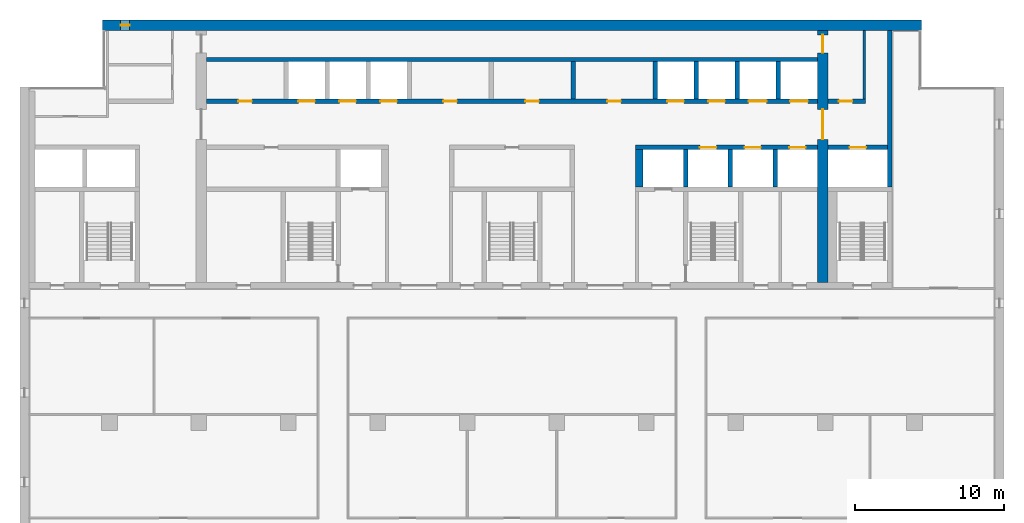
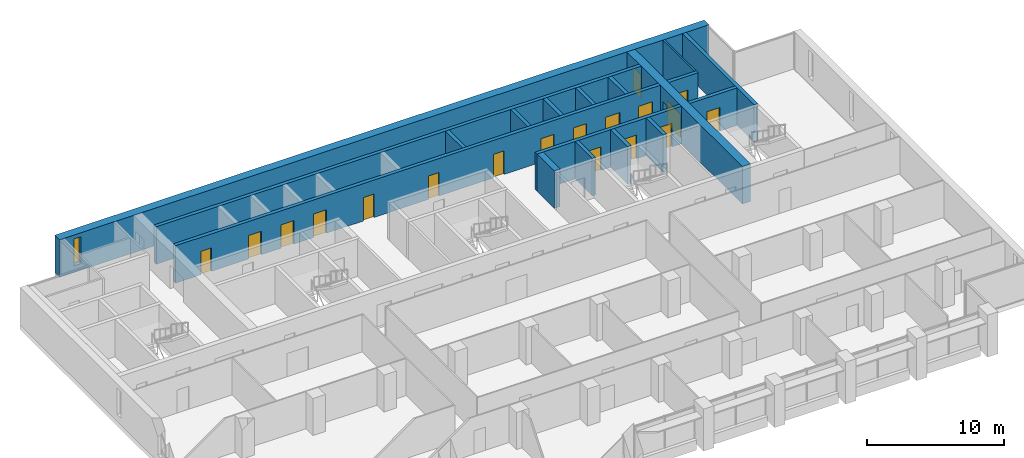
# One storey, part 11 of 17: 18 doors, 18 walls, 1 window, 19 openings.
"""IFC4 building model written with IfcOpenShell, lengths in metres."""

from ifc_helpers import new_model, si_unit, direction, frame, frame_2d, origin, place, context, subcontext, project, spatial, rectangle, extrude, material, layer, layer_set, type_object, element, fill, save


model = new_model("IFC4")

# Units and contexts
model_context = context("Model", 3, precision=1e-05, world=origin(), true_north=direction((0.0, 1.0)))
body_context = subcontext(model_context, "Body", "Model", "MODEL_VIEW")
ifc_project = project(units=[si_unit("LENGTHUNIT", "METRE"), si_unit("AREAUNIT", "SQUARE_METRE"), si_unit("VOLUMEUNIT", "CUBIC_METRE"), si_unit("PLANEANGLEUNIT", "RADIAN"), si_unit("MASSUNIT", "GRAM", prefix="KILO")], contexts=[model_context])

# Site, building, storey
site_placement = place(None, origin())
site = spatial("IfcSite", under=ifc_project, at=site_placement, CompositionType="ELEMENT")
building_placement = place(site_placement, origin())
building = spatial("IfcBuilding", under=site, at=building_placement, Name="Calvaro Tower", CompositionType="ELEMENT")
storey_placement = place(building_placement, frame((0.0, 0.0, 200.5)))
storey = spatial("IfcBuildingStorey", under=building, at=storey_placement, Name="L50", CompositionType="ELEMENT", Elevation=200.5)

# Wall
ifc_material_1 = material(Name="Blockwork partition", Category="masonry")
ifc_layer_1 = layer(ifc_material_1, 0.14990234375)
ifc_layer_set_1 = layer_set([ifc_layer_1], Name="Blockwork partition")
wall_type_1 = type_object("IfcWallType", Name="Core partition 150 REI 120", PredefinedType="PARTITIONING", material=ifc_layer_set_1)
wall_1_placement = place(storey_placement, frame((62.625, 40.699951171875, 0.0), z_axis=(0.0, 0.0, 1.0), x_axis=(0.0, 1.0, 0.0)))
element("IfcWall", 1, at=wall_1_placement, inside=storey, type_object=wall_type_1, Name="Core partition", PredefinedType="PARTITIONING", context=body_context, shape_type="SweptSolid", body=[
    extrude(rectangle(XDim=4.60009765625, YDim=0.14990234375, at=frame_2d((2.300048828125, 0.0))), origin(), (0.0, 0.0, 1.0), 3.35009765625),
])

# Wall, opening, door
ifc_material_2 = material(Name="Blockwork partition", Category="masonry")
ifc_layer_2 = layer(ifc_material_2, 0.300048828125)
ifc_layer_set_2 = layer_set([ifc_layer_2], Name="Blockwork partition")
wall_type_2 = type_object("IfcWallType", Name="Core partition 300 REI 120", PredefinedType="PARTITIONING", material=ifc_layer_set_2)
wall_2_placement = place(storey_placement, frame((60.199951171875, 40.550048828125, 0.0), z_axis=(0.0, 0.0, 1.0), x_axis=(1.0, 0.0, 0.0)))
wall_2 = element("IfcWall", 2, at=wall_2_placement, inside=storey, type_object=wall_type_2, Name="Core partition", PredefinedType="PARTITIONING", context=body_context, shape_type="SweptSolid", body=[
    extrude(rectangle(XDim=2.5, YDim=0.300048828125, at=frame_2d((1.25, 0.0))), origin(), (0.0, 0.0, 1.0), 3.35009765625),
])
opening_1_placement = place(wall_2_placement, frame((0.72509765625, 0.0, 0.0)))
opening_1 = element("IfcOpeningElement", 3, at=opening_1_placement, cuts=wall_2, Name="Opening RD9E", PredefinedType="OPENING", context=body_context, shape_type="SweptSolid", body=[
    extrude(rectangle(XDim=0.89990234375, YDim=2.10009765625, at=frame_2d((0.449951171875, 1.050048828125))), frame((0.0, 0.159912109375, 0.0), z_axis=(0.0, -1.0, 0.0), x_axis=(1.0, 0.0, 0.0)), (0.0, 0.0, 1.0), 0.320068359375),
])
ifc_material_3 = material(Name="Steel door set", Category="steel")
door_type_1 = type_object("IfcDoorType", Name="Room door 900 FD60", OperationType="SINGLE_SWING_LEFT", PredefinedType="DOOR", material=ifc_material_3)
door_1_placement = place(opening_1_placement, origin())
door_1 = element("IfcDoor", 4, at=door_1_placement, inside=storey, type_object=door_type_1, Name="Room door", OperationType="SINGLE_SWING_LEFT", OverallHeight=2.10009765625, OverallWidth=0.89990234375, PredefinedType="DOOR", context=body_context, shape_type="SweptSolid", body=[
    extrude(rectangle(XDim=0.89990234375, YDim=2.10009765625, at=frame_2d((0.449951171875, 1.050048828125))), frame((0.0, 0.02490234375, 0.0), z_axis=(0.0, -1.0, 0.0), x_axis=(1.0, 0.0, 0.0)), (0.0, 0.0, 1.0), 0.050048828125),
])
fill(opening_1, door_1)

# Walls
wall_3_placement = place(storey_placement, frame((43.10009765625, 40.699951171875, 0.0), z_axis=(0.0, 0.0, 1.0), x_axis=(0.0, 1.0, 0.0)))
element("IfcWall", 5, at=wall_3_placement, inside=storey, type_object=wall_type_2, Name="Core partition", PredefinedType="PARTITIONING", context=body_context, shape_type="SweptSolid", body=[
    extrude(rectangle(XDim=2.5, YDim=0.300048828125, at=frame_2d((1.25, 0.0))), origin(), (0.0, 0.0, 1.0), 3.35009765625),
])
ifc_material_4 = material(Name="Concrete C50/60", Category="concrete")
ifc_layer_3 = layer(ifc_material_4, 0.300048828125)
ifc_layer_set_3 = layer_set([ifc_layer_3], Name="Concrete C50/60")
wall_type_3 = type_object("IfcWallType", Name="Core wall C50/60 300", PredefinedType="SHEAR", material=ifc_layer_set_3)
wall_4_placement = place(storey_placement, frame((64.35009765625, 34.800048828125, 0.0), z_axis=(0.0, 0.0, 1.0), x_axis=(0.0, 1.0, 0.0)))
element("IfcWall", 6, at=wall_4_placement, inside=storey, type_object=wall_type_3, Name="Core wall, boundary", PredefinedType="SHEAR", context=body_context, shape_type="SweptSolid", body=[
    extrude(rectangle(XDim=10.5, YDim=0.300048828125, at=frame_2d((5.25, 0.0))), origin(), (0.0, 0.0, 1.0), 3.35009765625),
])

# Wall, openings, doors
wall_5_placement = place(storey_placement, frame((47.300048828125, 37.449951171875, 0.0), z_axis=(0.0, 0.0, 1.0), x_axis=(1.0, 0.0, 0.0)))
wall_5 = element("IfcWall", 7, at=wall_5_placement, inside=storey, type_object=wall_type_3, Name="Core wall, lift shaft", PredefinedType="SHEAR", context=body_context, shape_type="SweptSolid", body=[
    extrude(rectangle(XDim=12.199951171875, YDim=0.300048828125, at=frame_2d((6.10009765625, 0.0))), origin(), (0.0, 0.0, 1.0), 3.35009765625),
])
opening_2_placement = place(wall_5_placement, frame((4.300048828125, 0.0, 0.0)))
opening_2 = element("IfcOpeningElement", 8, at=opening_2_placement, cuts=wall_5, Name="Opening HR1", PredefinedType="OPENING", context=body_context, shape_type="SweptSolid", body=[
    extrude(rectangle(XDim=1.10009765625, YDim=2.10009765625, at=frame_2d((0.550048828125, 1.050048828125))), frame((0.0, 0.159912109375, 0.0), z_axis=(0.0, -1.0, 0.0), x_axis=(1.0, 0.0, 0.0)), (0.0, 0.0, 1.0), 0.320068359375),
])
opening_3_placement = place(wall_5_placement, frame((7.300048828125, 0.0, 0.0)))
opening_3 = element("IfcOpeningElement", 9, at=opening_3_placement, cuts=wall_5, Name="Opening HR2", PredefinedType="OPENING", context=body_context, shape_type="SweptSolid", body=[
    extrude(rectangle(XDim=1.10009765625, YDim=2.10009765625, at=frame_2d((0.550048828125, 1.050048828125))), frame((0.0, 0.159912109375, 0.0), z_axis=(0.0, -1.0, 0.0), x_axis=(1.0, 0.0, 0.0)), (0.0, 0.0, 1.0), 0.320068359375),
])
opening_4_placement = place(wall_5_placement, frame((10.300048828125, 0.0, 0.0)))
opening_4 = element("IfcOpeningElement", 10, at=opening_4_placement, cuts=wall_5, Name="Opening HR3", PredefinedType="OPENING", context=body_context, shape_type="SweptSolid", body=[
    extrude(rectangle(XDim=1.10009765625, YDim=2.10009765625, at=frame_2d((0.550048828125, 1.050048828125))), frame((0.0, 0.159912109375, 0.0), z_axis=(0.0, -1.0, 0.0), x_axis=(1.0, 0.0, 0.0)), (0.0, 0.0, 1.0), 0.320068359375),
])
ifc_material_5 = material(Name="Stainless steel", Category="steel")
door_type_2 = type_object("IfcDoorType", Name="Landing door 1100 E 60", OperationType="SLIDING_TO_LEFT", PredefinedType="DOOR", material=ifc_material_5)
door_2_placement = place(opening_2_placement, origin())
door_2 = element("IfcDoor", 11, at=door_2_placement, inside=storey, type_object=door_type_2, Name="Landing door HR1", OperationType="SLIDING_TO_LEFT", OverallHeight=2.10009765625, OverallWidth=1.10009765625, PredefinedType="DOOR", context=body_context, shape_type="SweptSolid", body=[
    extrude(rectangle(XDim=1.10009765625, YDim=2.10009765625, at=frame_2d((0.550048828125, 1.050048828125))), frame((0.0, 0.02490234375, 0.0), z_axis=(0.0, -1.0, 0.0), x_axis=(1.0, 0.0, 0.0)), (0.0, 0.0, 1.0), 0.050048828125),
])
fill(opening_2, door_2)
door_3_placement = place(opening_3_placement, origin())
door_3 = element("IfcDoor", 12, at=door_3_placement, inside=storey, type_object=door_type_2, Name="Landing door HR2", OperationType="SLIDING_TO_LEFT", OverallHeight=2.10009765625, OverallWidth=1.10009765625, PredefinedType="DOOR", context=body_context, shape_type="SweptSolid", body=[
    extrude(rectangle(XDim=1.10009765625, YDim=2.10009765625, at=frame_2d((0.550048828125, 1.050048828125))), frame((0.0, 0.02490234375, 0.0), z_axis=(0.0, -1.0, 0.0), x_axis=(1.0, 0.0, 0.0)), (0.0, 0.0, 1.0), 0.050048828125),
])
fill(opening_3, door_3)
door_4_placement = place(opening_4_placement, origin())
door_4 = element("IfcDoor", 13, at=door_4_placement, inside=storey, type_object=door_type_2, Name="Landing door HR3", OperationType="SLIDING_TO_LEFT", OverallHeight=2.10009765625, OverallWidth=1.10009765625, PredefinedType="DOOR", context=body_context, shape_type="SweptSolid", body=[
    extrude(rectangle(XDim=1.10009765625, YDim=2.10009765625, at=frame_2d((0.550048828125, 1.050048828125))), frame((0.0, 0.02490234375, 0.0), z_axis=(0.0, -1.0, 0.0), x_axis=(1.0, 0.0, 0.0)), (0.0, 0.0, 1.0), 0.050048828125),
])
fill(opening_4, door_4)

# Wall, opening, door
wall_6_placement = place(storey_placement, frame((60.199951171875, 37.449951171875, 0.0), z_axis=(0.0, 0.0, 1.0), x_axis=(1.0, 0.0, 0.0)))
wall_6 = element("IfcWall", 14, at=wall_6_placement, inside=storey, type_object=wall_type_3, Name="Core wall, lift shaft", PredefinedType="SHEAR", context=body_context, shape_type="SweptSolid", body=[
    extrude(rectangle(XDim=4.0, YDim=0.300048828125, at=frame_2d((2.0, 0.0))), origin(), (0.0, 0.0, 1.0), 3.35009765625),
])
opening_5_placement = place(wall_6_placement, frame((1.449951171875, 0.0, 0.0)))
opening_5 = element("IfcOpeningElement", 15, at=opening_5_placement, cuts=wall_6, Name="Opening FF3", PredefinedType="OPENING", context=body_context, shape_type="SweptSolid", body=[
    extrude(rectangle(XDim=1.10009765625, YDim=2.10009765625, at=frame_2d((0.550048828125, 1.050048828125))), frame((0.0, 0.159912109375, 0.0), z_axis=(0.0, -1.0, 0.0), x_axis=(1.0, 0.0, 0.0)), (0.0, 0.0, 1.0), 0.320068359375),
])
door_5_placement = place(opening_5_placement, origin())
door_5 = element("IfcDoor", 16, at=door_5_placement, inside=storey, type_object=door_type_2, Name="Landing door FF3", OperationType="SLIDING_TO_LEFT", OverallHeight=2.10009765625, OverallWidth=1.10009765625, PredefinedType="DOOR", context=body_context, shape_type="SweptSolid", body=[
    extrude(rectangle(XDim=1.10009765625, YDim=2.10009765625, at=frame_2d((0.550048828125, 1.050048828125))), frame((0.0, 0.02490234375, 0.0), z_axis=(0.0, -1.0, 0.0), x_axis=(1.0, 0.0, 0.0)), (0.0, 0.0, 1.0), 0.050048828125),
])
fill(opening_5, door_5)

# Wall
wall_7_placement = place(storey_placement, frame((50.64990234375, 34.800048828125, 0.0), z_axis=(0.0, 0.0, 1.0), x_axis=(0.0, 1.0, 0.0)))
element("IfcWall", 17, at=wall_7_placement, inside=storey, type_object=wall_type_3, Name="Core wall, lift shaft", PredefinedType="SHEAR", context=body_context, shape_type="SweptSolid", body=[
    extrude(rectangle(XDim=2.5, YDim=0.300048828125, at=frame_2d((1.25, 0.0))), origin(), (0.0, 0.0, 1.0), 3.35009765625),
])

# Wall, openings, doors
wall_8_placement = place(storey_placement, frame((18.5, 40.550048828125, 0.0), z_axis=(0.0, 0.0, 1.0), x_axis=(1.0, 0.0, 0.0)))
wall_8 = element("IfcWall", 18, at=wall_8_placement, inside=storey, type_object=wall_type_3, Name="Core wall, bay", PredefinedType="SHEAR", context=body_context, shape_type="SweptSolid", body=[
    extrude(rectangle(XDim=41.0, YDim=0.300048828125, at=frame_2d((20.5, 0.0))), origin(), (0.0, 0.0, 1.0), 3.35009765625),
])
opening_6_placement = place(wall_8_placement, frame((2.14990234375, 0.0, 0.0)))
opening_6 = element("IfcOpeningElement", 19, at=opening_6_placement, cuts=wall_8, Name="Opening RD9E", PredefinedType="OPENING", context=body_context, shape_type="SweptSolid", body=[
    extrude(rectangle(XDim=0.89990234375, YDim=2.10009765625, at=frame_2d((0.449951171875, 1.050048828125))), frame((0.0, 0.159912109375, 0.0), z_axis=(0.0, -1.0, 0.0), x_axis=(1.0, 0.0, 0.0)), (0.0, 0.0, 1.0), 0.320068359375),
])
opening_7_placement = place(wall_8_placement, frame((15.89990234375, 0.0, 0.0)))
opening_7 = element("IfcOpeningElement", 20, at=opening_7_placement, cuts=wall_8, Name="Opening RD9E", PredefinedType="OPENING", context=body_context, shape_type="SweptSolid", body=[
    extrude(rectangle(XDim=0.89990234375, YDim=2.10009765625, at=frame_2d((0.449951171875, 1.050048828125))), frame((0.0, 0.159912109375, 0.0), z_axis=(0.0, -1.0, 0.0), x_axis=(1.0, 0.0, 0.0)), (0.0, 0.0, 1.0), 0.320068359375),
])
opening_8_placement = place(wall_8_placement, frame((21.39990234375, 0.0, 0.0)))
opening_8 = element("IfcOpeningElement", 21, at=opening_8_placement, cuts=wall_8, Name="Opening RD9E", PredefinedType="OPENING", context=body_context, shape_type="SweptSolid", body=[
    extrude(rectangle(XDim=0.89990234375, YDim=2.10009765625, at=frame_2d((0.449951171875, 1.050048828125))), frame((0.0, 0.159912109375, 0.0), z_axis=(0.0, -1.0, 0.0), x_axis=(1.0, 0.0, 0.0)), (0.0, 0.0, 1.0), 0.320068359375),
])
opening_9_placement = place(wall_8_placement, frame((26.89990234375, 0.0, 0.0)))
opening_9 = element("IfcOpeningElement", 22, at=opening_9_placement, cuts=wall_8, Name="Opening RD9E", PredefinedType="OPENING", context=body_context, shape_type="SweptSolid", body=[
    extrude(rectangle(XDim=0.89990234375, YDim=2.10009765625, at=frame_2d((0.449951171875, 1.050048828125))), frame((0.0, 0.159912109375, 0.0), z_axis=(0.0, -1.0, 0.0), x_axis=(1.0, 0.0, 0.0)), (0.0, 0.0, 1.0), 0.320068359375),
])
opening_10_placement = place(wall_8_placement, frame((6.175048828125, 0.0, 0.0)))
opening_10 = element("IfcOpeningElement", 23, at=opening_10_placement, cuts=wall_8, Name="Opening HR4", PredefinedType="OPENING", context=body_context, shape_type="SweptSolid", body=[
    extrude(rectangle(XDim=1.10009765625, YDim=2.10009765625, at=frame_2d((0.550048828125, 1.050048828125))), frame((0.0, 0.159912109375, 0.0), z_axis=(0.0, -1.0, 0.0), x_axis=(1.0, 0.0, 0.0)), (0.0, 0.0, 1.0), 0.320068359375),
])
opening_11_placement = place(wall_8_placement, frame((8.925048828125, 0.0, 0.0)))
opening_11 = element("IfcOpeningElement", 24, at=opening_11_placement, cuts=wall_8, Name="Opening HR5", PredefinedType="OPENING", context=body_context, shape_type="SweptSolid", body=[
    extrude(rectangle(XDim=1.10009765625, YDim=2.10009765625, at=frame_2d((0.550048828125, 1.050048828125))), frame((0.0, 0.159912109375, 0.0), z_axis=(0.0, -1.0, 0.0), x_axis=(1.0, 0.0, 0.0)), (0.0, 0.0, 1.0), 0.320068359375),
])
opening_12_placement = place(wall_8_placement, frame((11.675048828125, 0.0, 0.0)))
opening_12 = element("IfcOpeningElement", 25, at=opening_12_placement, cuts=wall_8, Name="Opening HR6", PredefinedType="OPENING", context=body_context, shape_type="SweptSolid", body=[
    extrude(rectangle(XDim=1.10009765625, YDim=2.10009765625, at=frame_2d((0.550048828125, 1.050048828125))), frame((0.0, 0.159912109375, 0.0), z_axis=(0.0, -1.0, 0.0), x_axis=(1.0, 0.0, 0.0)), (0.0, 0.0, 1.0), 0.320068359375),
])
opening_13_placement = place(wall_8_placement, frame((30.925048828125, 0.0, 0.0)))
opening_13 = element("IfcOpeningElement", 26, at=opening_13_placement, cuts=wall_8, Name="Opening HR7", PredefinedType="OPENING", context=body_context, shape_type="SweptSolid", body=[
    extrude(rectangle(XDim=1.10009765625, YDim=2.10009765625, at=frame_2d((0.550048828125, 1.050048828125))), frame((0.0, 0.159912109375, 0.0), z_axis=(0.0, -1.0, 0.0), x_axis=(1.0, 0.0, 0.0)), (0.0, 0.0, 1.0), 0.320068359375),
])
opening_14_placement = place(wall_8_placement, frame((33.675048828125, 0.0, 0.0)))
opening_14 = element("IfcOpeningElement", 27, at=opening_14_placement, cuts=wall_8, Name="Opening HR8", PredefinedType="OPENING", context=body_context, shape_type="SweptSolid", body=[
    extrude(rectangle(XDim=1.10009765625, YDim=2.10009765625, at=frame_2d((0.550048828125, 1.050048828125))), frame((0.0, 0.159912109375, 0.0), z_axis=(0.0, -1.0, 0.0), x_axis=(1.0, 0.0, 0.0)), (0.0, 0.0, 1.0), 0.320068359375),
])
opening_15_placement = place(wall_8_placement, frame((36.375, 0.0, 0.0)))
opening_15 = element("IfcOpeningElement", 28, at=opening_15_placement, cuts=wall_8, Name="Opening SV1", PredefinedType="OPENING", context=body_context, shape_type="SweptSolid", body=[
    extrude(rectangle(XDim=1.199951171875, YDim=2.10009765625, at=frame_2d((0.60009765625, 1.050048828125))), frame((0.0, 0.159912109375, 0.0), z_axis=(0.0, -1.0, 0.0), x_axis=(1.0, 0.0, 0.0)), (0.0, 0.0, 1.0), 0.320068359375),
])
opening_16_placement = place(wall_8_placement, frame((39.14990234375, 0.0, 0.0)))
opening_16 = element("IfcOpeningElement", 29, at=opening_16_placement, cuts=wall_8, Name="Opening SV2", PredefinedType="OPENING", context=body_context, shape_type="SweptSolid", body=[
    extrude(rectangle(XDim=1.199951171875, YDim=2.10009765625, at=frame_2d((0.60009765625, 1.050048828125))), frame((0.0, 0.159912109375, 0.0), z_axis=(0.0, -1.0, 0.0), x_axis=(1.0, 0.0, 0.0)), (0.0, 0.0, 1.0), 0.320068359375),
])
door_6_placement = place(opening_10_placement, origin())
door_6 = element("IfcDoor", 30, at=door_6_placement, inside=storey, type_object=door_type_2, Name="Landing door HR4", OperationType="SLIDING_TO_LEFT", OverallHeight=2.10009765625, OverallWidth=1.10009765625, PredefinedType="DOOR", context=body_context, shape_type="SweptSolid", body=[
    extrude(rectangle(XDim=1.10009765625, YDim=2.10009765625, at=frame_2d((0.550048828125, 1.050048828125))), frame((0.0, 0.02490234375, 0.0), z_axis=(0.0, -1.0, 0.0), x_axis=(1.0, 0.0, 0.0)), (0.0, 0.0, 1.0), 0.050048828125),
])
fill(opening_10, door_6)
door_7_placement = place(opening_11_placement, origin())
door_7 = element("IfcDoor", 31, at=door_7_placement, inside=storey, type_object=door_type_2, Name="Landing door HR5", OperationType="SLIDING_TO_LEFT", OverallHeight=2.10009765625, OverallWidth=1.10009765625, PredefinedType="DOOR", context=body_context, shape_type="SweptSolid", body=[
    extrude(rectangle(XDim=1.10009765625, YDim=2.10009765625, at=frame_2d((0.550048828125, 1.050048828125))), frame((0.0, 0.02490234375, 0.0), z_axis=(0.0, -1.0, 0.0), x_axis=(1.0, 0.0, 0.0)), (0.0, 0.0, 1.0), 0.050048828125),
])
fill(opening_11, door_7)
door_8_placement = place(opening_12_placement, origin())
door_8 = element("IfcDoor", 32, at=door_8_placement, inside=storey, type_object=door_type_2, Name="Landing door HR6", OperationType="SLIDING_TO_LEFT", OverallHeight=2.10009765625, OverallWidth=1.10009765625, PredefinedType="DOOR", context=body_context, shape_type="SweptSolid", body=[
    extrude(rectangle(XDim=1.10009765625, YDim=2.10009765625, at=frame_2d((0.550048828125, 1.050048828125))), frame((0.0, 0.02490234375, 0.0), z_axis=(0.0, -1.0, 0.0), x_axis=(1.0, 0.0, 0.0)), (0.0, 0.0, 1.0), 0.050048828125),
])
fill(opening_12, door_8)
door_9_placement = place(opening_13_placement, origin())
door_9 = element("IfcDoor", 33, at=door_9_placement, inside=storey, type_object=door_type_2, Name="Landing door HR7", OperationType="SLIDING_TO_LEFT", OverallHeight=2.10009765625, OverallWidth=1.10009765625, PredefinedType="DOOR", context=body_context, shape_type="SweptSolid", body=[
    extrude(rectangle(XDim=1.10009765625, YDim=2.10009765625, at=frame_2d((0.550048828125, 1.050048828125))), frame((0.0, 0.02490234375, 0.0), z_axis=(0.0, -1.0, 0.0), x_axis=(1.0, 0.0, 0.0)), (0.0, 0.0, 1.0), 0.050048828125),
])
fill(opening_13, door_9)
door_10_placement = place(opening_14_placement, origin())
door_10 = element("IfcDoor", 34, at=door_10_placement, inside=storey, type_object=door_type_2, Name="Landing door HR8", OperationType="SLIDING_TO_LEFT", OverallHeight=2.10009765625, OverallWidth=1.10009765625, PredefinedType="DOOR", context=body_context, shape_type="SweptSolid", body=[
    extrude(rectangle(XDim=1.10009765625, YDim=2.10009765625, at=frame_2d((0.550048828125, 1.050048828125))), frame((0.0, 0.02490234375, 0.0), z_axis=(0.0, -1.0, 0.0), x_axis=(1.0, 0.0, 0.0)), (0.0, 0.0, 1.0), 0.050048828125),
])
fill(opening_14, door_10)
ifc_material_6 = material(Name="Stainless steel", Category="steel")
door_type_3 = type_object("IfcDoorType", Name="Landing door 1200 E 60", OperationType="SLIDING_TO_LEFT", PredefinedType="DOOR", material=ifc_material_6)
door_11_placement = place(opening_15_placement, origin())
door_11 = element("IfcDoor", 35, at=door_11_placement, inside=storey, type_object=door_type_3, Name="Landing door SV1", OperationType="SLIDING_TO_LEFT", OverallHeight=2.10009765625, OverallWidth=1.199951171875, PredefinedType="DOOR", context=body_context, shape_type="SweptSolid", body=[
    extrude(rectangle(XDim=1.199951171875, YDim=2.10009765625, at=frame_2d((0.60009765625, 1.050048828125))), frame((0.0, 0.02490234375, 0.0), z_axis=(0.0, -1.0, 0.0), x_axis=(1.0, 0.0, 0.0)), (0.0, 0.0, 1.0), 0.050048828125),
])
fill(opening_15, door_11)
door_12_placement = place(opening_16_placement, origin())
door_12 = element("IfcDoor", 36, at=door_12_placement, inside=storey, type_object=door_type_3, Name="Landing door SV2", OperationType="SLIDING_TO_LEFT", OverallHeight=2.10009765625, OverallWidth=1.199951171875, PredefinedType="DOOR", context=body_context, shape_type="SweptSolid", body=[
    extrude(rectangle(XDim=1.199951171875, YDim=2.10009765625, at=frame_2d((0.60009765625, 1.050048828125))), frame((0.0, 0.02490234375, 0.0), z_axis=(0.0, -1.0, 0.0), x_axis=(1.0, 0.0, 0.0)), (0.0, 0.0, 1.0), 0.050048828125),
])
fill(opening_16, door_12)
door_13_placement = place(opening_6_placement, origin())
door_13 = element("IfcDoor", 37, at=door_13_placement, inside=storey, type_object=door_type_1, Name="Room door", OperationType="SINGLE_SWING_RIGHT", OverallHeight=2.10009765625, OverallWidth=0.89990234375, PredefinedType="DOOR", context=body_context, shape_type="SweptSolid", body=[
    extrude(rectangle(XDim=0.89990234375, YDim=2.10009765625, at=frame_2d((0.449951171875, 1.050048828125))), frame((0.0, 0.02490234375, 0.0), z_axis=(0.0, -1.0, 0.0), x_axis=(1.0, 0.0, 0.0)), (0.0, 0.0, 1.0), 0.050048828125),
])
fill(opening_6, door_13)
door_14_placement = place(opening_7_placement, origin())
door_14 = element("IfcDoor", 38, at=door_14_placement, inside=storey, type_object=door_type_1, Name="Room door", OperationType="SINGLE_SWING_LEFT", OverallHeight=2.10009765625, OverallWidth=0.89990234375, PredefinedType="DOOR", context=body_context, shape_type="SweptSolid", body=[
    extrude(rectangle(XDim=0.89990234375, YDim=2.10009765625, at=frame_2d((0.449951171875, 1.050048828125))), frame((0.0, 0.02490234375, 0.0), z_axis=(0.0, -1.0, 0.0), x_axis=(1.0, 0.0, 0.0)), (0.0, 0.0, 1.0), 0.050048828125),
])
fill(opening_7, door_14)
door_15_placement = place(opening_8_placement, origin())
door_15 = element("IfcDoor", 39, at=door_15_placement, inside=storey, type_object=door_type_1, Name="Room door", OperationType="SINGLE_SWING_LEFT", OverallHeight=2.10009765625, OverallWidth=0.89990234375, PredefinedType="DOOR", context=body_context, shape_type="SweptSolid", body=[
    extrude(rectangle(XDim=0.89990234375, YDim=2.10009765625, at=frame_2d((0.449951171875, 1.050048828125))), frame((0.0, 0.02490234375, 0.0), z_axis=(0.0, -1.0, 0.0), x_axis=(1.0, 0.0, 0.0)), (0.0, 0.0, 1.0), 0.050048828125),
])
fill(opening_8, door_15)
door_16_placement = place(opening_9_placement, origin())
door_16 = element("IfcDoor", 40, at=door_16_placement, inside=storey, type_object=door_type_1, Name="Room door", OperationType="SINGLE_SWING_LEFT", OverallHeight=2.10009765625, OverallWidth=0.89990234375, PredefinedType="DOOR", context=body_context, shape_type="SweptSolid", body=[
    extrude(rectangle(XDim=0.89990234375, YDim=2.10009765625, at=frame_2d((0.449951171875, 1.050048828125))), frame((0.0, 0.02490234375, 0.0), z_axis=(0.0, -1.0, 0.0), x_axis=(1.0, 0.0, 0.0)), (0.0, 0.0, 1.0), 0.050048828125),
])
fill(opening_9, door_16)

# Walls
wall_9_placement = place(storey_placement, frame((18.5, 43.35009765625, 0.0), z_axis=(0.0, 0.0, 1.0), x_axis=(1.0, 0.0, 0.0)))
element("IfcWall", 41, at=wall_9_placement, inside=storey, type_object=wall_type_3, Name="Core wall, lift shaft", PredefinedType="SHEAR", context=body_context, shape_type="SweptSolid", body=[
    extrude(rectangle(XDim=41.0, YDim=0.300048828125, at=frame_2d((20.5, 0.0))), origin(), (0.0, 0.0, 1.0), 3.35009765625),
])
for number, where, z_axis, x_axis, name in (
    (42, (53.64990234375, 34.800048828125, 0.0), (0.0, 0.0, 1.0), (0.0, 1.0, 0.0), "Core wall, lift shaft"),
    (43, (56.64990234375, 34.800048828125, 0.0), (0.0, 0.0, 1.0), (0.0, 1.0, 0.0), "Core wall, lift shaft"),
    (44, (48.60009765625, 40.699951171875, 0.0), (0.0, 0.0, 1.0), (0.0, 1.0, 0.0), "Core wall, lift shaft"),
    (45, (51.35009765625, 40.699951171875, 0.0), (0.0, 0.0, 1.0), (0.0, 1.0, 0.0), "Core wall, lift shaft"),
    (46, (54.10009765625, 40.699951171875, 0.0), (0.0, 0.0, 1.0), (0.0, 1.0, 0.0), "Core wall, lift shaft"),
    (47, (56.85009765625, 40.699951171875, 0.0), (0.0, 0.0, 1.0), (0.0, 1.0, 0.0), "Core wall, lift shaft"),
):
    element("IfcWall", number, at=place(storey_placement, frame(where, z_axis=z_axis, x_axis=x_axis)), inside=storey, type_object=wall_type_3, Name=name, PredefinedType="SHEAR", context=body_context, shape_type="SweptSolid", body=[
        extrude(rectangle(XDim=2.5, YDim=0.300048828125, at=frame_2d((1.25, 0.0))), origin(), (0.0, 0.0, 1.0), 3.35009765625),
    ])
ifc_material_7 = material(Name="Concrete C50/60", Category="concrete")
ifc_layer_4 = layer(ifc_material_7, 0.5)
ifc_layer_set_4 = layer_set([ifc_layer_4], Name="Concrete C50/60")
wall_type_4 = type_object("IfcWallType", Name="Core wall C50/60 500", PredefinedType="SHEAR", material=ifc_layer_set_4)
wall_10_placement = place(storey_placement, frame((47.550048828125, 34.800048828125, 0.0), z_axis=(0.0, 0.0, 1.0), x_axis=(0.0, 1.0, 0.0)))
element("IfcWall", 48, at=wall_10_placement, inside=storey, type_object=wall_type_4, Name="Core wall, lift shaft", PredefinedType="SHEAR", context=body_context, shape_type="SweptSolid", body=[
    extrude(rectangle(XDim=2.5, YDim=0.5, at=frame_2d((1.25, 0.0))), origin(), (0.0, 0.0, 1.0), 3.35009765625),
])

# Wall, openings, doors
ifc_material_8 = material(Name="Concrete C50/60", Category="concrete")
ifc_layer_5 = layer(ifc_material_8, 0.699951171875)
ifc_layer_set_5 = layer_set([ifc_layer_5], Name="Concrete C50/60")
wall_type_5 = type_object("IfcWallType", Name="Core wall C50/60 700", PredefinedType="SHEAR", material=ifc_layer_set_5)
wall_11_placement = place(storey_placement, frame((59.85009765625, 28.39990234375, 0.0), z_axis=(0.0, 0.0, 1.0), x_axis=(0.0, 1.0, 0.0)))
wall_11 = element("IfcWall", 49, at=wall_11_placement, inside=storey, type_object=wall_type_5, Name="Core wall, cross shear wall", PredefinedType="SHEAR", context=body_context, shape_type="SweptSolid", body=[
    extrude(rectangle(XDim=16.900146484375, YDim=0.699951171875, at=frame_2d((8.4501953125, 0.0))), origin(), (0.0, 0.0, 1.0), 3.35009765625),
])
opening_17_placement = place(wall_11_placement, frame((9.60009765625, 0.0, 0.0)))
opening_17 = element("IfcOpeningElement", 50, at=opening_17_placement, cuts=wall_11, Name="Opening DD20D", PredefinedType="OPENING", context=body_context, shape_type="SweptSolid", body=[
    extrude(rectangle(XDim=2.0, YDim=2.10009765625, at=frame_2d((1.0, 1.050048828125))), frame((0.0, 0.35986328125, 0.0), z_axis=(0.0, -1.0, 0.0), x_axis=(1.0, 0.0, 0.0)), (0.0, 0.0, 1.0), 0.719970703125),
])
opening_18_placement = place(wall_11_placement, frame((15.39990234375, 0.0, 0.0)))
opening_18 = element("IfcOpeningElement", 51, at=opening_18_placement, cuts=wall_11, Name="Opening FD12C", PredefinedType="OPENING", context=body_context, shape_type="SweptSolid", body=[
    extrude(rectangle(XDim=1.199951171875, YDim=2.10009765625, at=frame_2d((0.60009765625, 1.050048828125))), frame((0.0, 0.35986328125, 0.0), z_axis=(0.0, -1.0, 0.0), x_axis=(1.0, 0.0, 0.0)), (0.0, 0.0, 1.0), 0.719970703125),
])
ifc_material_9 = material(Name="Steel door set", Category="steel")
door_type_4 = type_object("IfcDoorType", Name="Fire door 1200 FD30", OperationType="SINGLE_SWING_LEFT", PredefinedType="DOOR", material=ifc_material_9)
door_17_placement = place(opening_18_placement, origin())
door_17 = element("IfcDoor", 52, at=door_17_placement, inside=storey, type_object=door_type_4, Name="Fire door", OperationType="SINGLE_SWING_LEFT", OverallHeight=2.10009765625, OverallWidth=1.199951171875, PredefinedType="DOOR", context=body_context, shape_type="SweptSolid", body=[
    extrude(rectangle(XDim=1.199951171875, YDim=2.10009765625, at=frame_2d((0.60009765625, 1.050048828125))), frame((0.0, 0.02490234375, 0.0), z_axis=(0.0, -1.0, 0.0), x_axis=(1.0, 0.0, 0.0)), (0.0, 0.0, 1.0), 0.050048828125),
])
fill(opening_18, door_17)
ifc_material_10 = material(Name="Steel door set", Category="steel")
door_type_5 = type_object("IfcDoorType", Name="Lobby double door 2000 FD30S", OperationType="DOUBLE_DOOR_SINGLE_SWING", PredefinedType="DOOR", material=ifc_material_10)
door_18_placement = place(opening_17_placement, origin())
door_18 = element("IfcDoor", 53, at=door_18_placement, inside=storey, type_object=door_type_5, Name="Lobby double door", OperationType="DOUBLE_DOOR_SINGLE_SWING", OverallHeight=2.10009765625, OverallWidth=2.0, PredefinedType="DOOR", context=body_context, shape_type="SweptSolid", body=[
    extrude(rectangle(XDim=2.0, YDim=2.10009765625, at=frame_2d((1.0, 1.050048828125))), frame((0.0, 0.02490234375, 0.0), z_axis=(0.0, -1.0, 0.0), x_axis=(1.0, 0.0, 0.0)), (0.0, 0.0, 1.0), 0.050048828125),
])
fill(opening_17, door_18)

# Wall, opening, window
ifc_material_11 = material(Name="Concrete C50/60", Category="concrete")
ifc_layer_6 = layer(ifc_material_11, 0.699951171875)
ifc_layer_set_6 = layer_set([ifc_layer_6], Name="Concrete C50/60")
wall_type_6 = type_object("IfcWallType", Name="Rear core wall 700 C50/60", PredefinedType="SHEAR", material=ifc_layer_set_6)
wall_12_placement = place(storey_placement, frame((11.550048828125, 45.64990234375, 0.0), z_axis=(0.0, 0.0, 1.0), x_axis=(1.0, 0.0, 0.0)))
wall_12 = element("IfcWall", 54, at=wall_12_placement, inside=storey, type_object=wall_type_6, Name="North core wall", PredefinedType="SHEAR", context=body_context, shape_type="SweptSolid", body=[
    extrude(rectangle(XDim=54.89990234375, YDim=0.699951171875, at=frame_2d((27.449951171875, 0.0))), origin(), (0.0, 0.0, 1.0), 3.35009765625),
])
opening_19_placement = place(wall_12_placement, frame((1.199951171875, 0.0, 0.60009765625)))
opening_19 = element("IfcOpeningElement", 55, at=opening_19_placement, cuts=wall_12, Name="Opening WN01", PredefinedType="OPENING", context=body_context, shape_type="SweptSolid", body=[
    extrude(rectangle(XDim=0.60009765625, YDim=2.39990234375, at=frame_2d((0.300048828125, 1.199951171875))), frame((0.0, 0.35986328125, 0.0), z_axis=(0.0, -1.0, 0.0), x_axis=(1.0, 0.0, 0.0)), (0.0, 0.0, 1.0), 0.719970703125),
])
ifc_material_12 = material(Name="Glass", Category="glass")
window_type = type_object("IfcWindowType", Name="Slit window 600 x 2400", PartitioningType="SINGLE_PANEL", PredefinedType="WINDOW", material=ifc_material_12)
window_placement = place(opening_19_placement, origin())
window = element("IfcWindow", 56, at=window_placement, inside=storey, type_object=window_type, Name="Window WN01", OverallHeight=2.39990234375, OverallWidth=0.60009765625, PartitioningType="SINGLE_PANEL", PredefinedType="WINDOW", context=body_context, shape_type="SweptSolid", body=[
    extrude(rectangle(XDim=0.60009765625, YDim=2.39990234375, at=frame_2d((0.300048828125, 1.199951171875))), frame((0.0, 0.030029296875, 0.0), z_axis=(0.0, -1.0, 0.0), x_axis=(1.0, 0.0, 0.0)), (0.0, 0.0, 1.0), 0.06005859375),
])
fill(opening_19, window)

save(model, "model.ifc")
